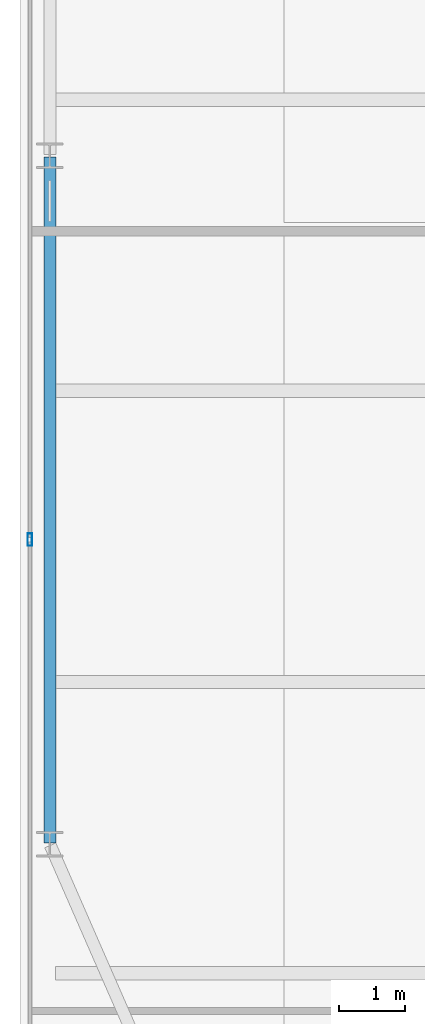
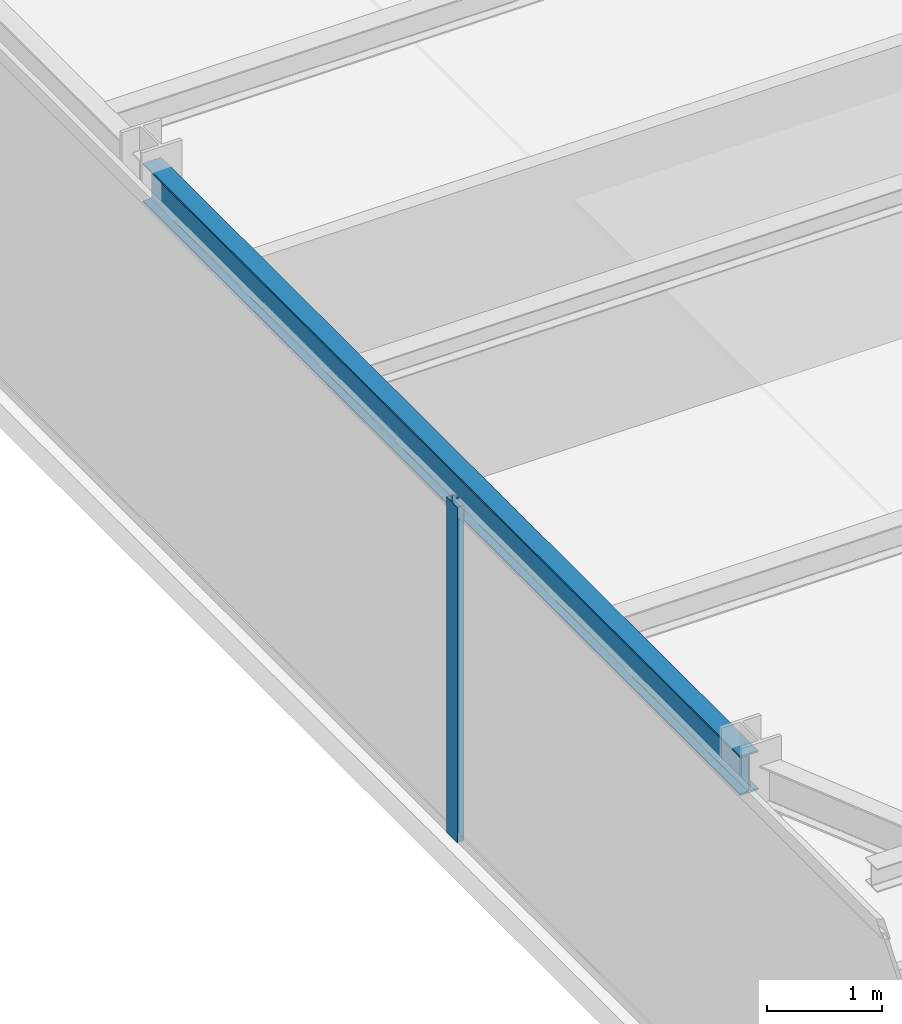
# One storey, part 8 of 34: 1 beam, 1 member, 1 element without a shape of its own.
"""IFC4 building model written with IfcOpenShell, lengths in metres."""

from ifc_helpers import new_model, si_unit, direction, frame, origin, origin_2d, place, context, subcontext, project, spatial, hollow_rectangle, i_section, extrude, source, transform, mapped, material, layer, layer_set, material_profile, profile_set, type_object, type_shapes, element, aggregate, save


model = new_model("IFC4")

# Units and contexts
model_context = context("Model", 3, precision=1e-05, world=origin(), true_north=direction((0.0, 1.0)))
body_context = subcontext(model_context, "Body", "Model", "MODEL_VIEW")
ifc_project = project(units=[si_unit("LENGTHUNIT", "METRE"), si_unit("AREAUNIT", "SQUARE_METRE"), si_unit("VOLUMEUNIT", "CUBIC_METRE"), si_unit("PLANEANGLEUNIT", "RADIAN"), si_unit("MASSUNIT", "GRAM", prefix="KILO")], contexts=[model_context])

# Site, building, storey
site_placement = place(None, origin())
site = spatial("IfcSite", under=ifc_project, at=site_placement, CompositionType="ELEMENT")
building_placement = place(site_placement, origin())
building = spatial("IfcBuilding", under=site, at=building_placement, Name="Varnel Quay Broadcast Tower", CompositionType="ELEMENT")
storey_placement = place(building_placement, frame((0.0, 0.0, 110.60009765625)))
storey = spatial("IfcBuildingStorey", under=building, at=storey_placement, Name="L26", CompositionType="ELEMENT", Elevation=110.60009765625)

# Beam
ifc_material_1 = material(Name="Structural Steel CSA G40.21 350W", Category="steel")
ifc_material_profile_1 = material_profile(ifc_material_1, i_section(OverallWidth=0.180908203125, OverallDepth=0.4169921875, WebThickness=0.010986328125, FlangeThickness=0.018310546875, FilletRadius=0.011962890625, at=origin_2d()), Name="W410X85")
ifc_profile_set_1 = profile_set([ifc_material_profile_1], Name="Structural Steel CSA G40.21 350W")
beam_type = type_object("IfcBeamType", Name="Beam_W410X85", PredefinedType="SPANDREL", material=ifc_profile_set_1)
shared_shape_1 = source(origin(), body_context, "Body", "SweptSolid", [
    extrude(i_section(OverallWidth=0.180908203125, OverallDepth=0.4169921875, WebThickness=0.010986328125, FlangeThickness=0.018310546875, FilletRadius=0.011962890625, at=origin_2d()), origin(), (0.0, 0.0, 1.0), 10.35986328125),
])
type_shapes(beam_type, [shared_shape_1])
beam_placement = place(storey_placement, frame((4.949951171875, 15.02001953125, 3.34130859375), z_axis=(0.0, 1.0, 0.0), x_axis=(-1.0, 0.0, 0.0)))
element("IfcBeam", 1, at=beam_placement, inside=storey, type_object=beam_type, Name="L26 West Spandrel TC-W1-TC-W2", PredefinedType="SPANDREL", context=body_context, shape_type="MappedRepresentation", body=[
    mapped(shared_shape_1, transform((0.0, 0.0, 0.0), x_axis=(1.0, 0.0, 0.0), y_axis=(0.0, 1.0, 0.0), z_axis=(0.0, 0.0, 1.0), scale=1.0)),
])

# Curtain wall, member
ifc_material_2 = material(Name="Anodised Bronze Aluminium 6063-T6", Category="aluminium")
ifc_layer = layer(ifc_material_2, 0.18994140625, Name="Anodised Bronze Aluminium 6063-T6")
ifc_layer_set = layer_set([ifc_layer], Name="Anodised Bronze Aluminium 6063-T6")
curtain_wall_type = type_object("IfcCurtainWallType", Name="CW_LowerTower", PredefinedType="NOTDEFINED", material=ifc_layer_set)
curtain_wall_placement = place(storey_placement, origin())
curtain_wall = element("IfcCurtainWall", 2, at=curtain_wall_placement, inside=storey, type_object=curtain_wall_type, Name="L26 West Unitised Curtain Wall", PredefinedType="NOTDEFINED")
ifc_material_profile_2 = material_profile(ifc_material_2, hollow_rectangle(XDim=0.070068359375, YDim=0.18994140625, WallThickness=0.00390625, at=origin_2d()), Name="ALU70X190X4")
ifc_profile_set_2 = profile_set([ifc_material_profile_2], Name="Anodised Bronze Aluminium 6063-T6")
member_type = type_object("IfcMemberType", Name="Mull_CWS-02", PredefinedType="MULLION", material=ifc_profile_set_2)
shared_shape_2 = source(origin(), body_context, "Body", "SweptSolid", [
    extrude(hollow_rectangle(XDim=0.070068359375, YDim=0.18994140625, WallThickness=0.00390625, at=origin_2d()), origin(), (0.0, 0.0, 1.0), 3.5498046875),
])
type_shapes(member_type, [shared_shape_2])
member_placement = place(storey_placement, frame((4.64990234375, 19.60009765625, 0.0), z_axis=(0.0, 0.0, 1.0), x_axis=(-1.0, 0.0, 0.0)))
member = element("IfcMember", 3, at=member_placement, type_object=member_type, Name="CWS-02 mullion 2", PredefinedType="MULLION", context=body_context, shape_type="MappedRepresentation", body=[
    mapped(shared_shape_2, transform((0.0, 0.0, 0.0), x_axis=(1.0, 0.0, 0.0), y_axis=(0.0, 1.0, 0.0), z_axis=(0.0, 0.0, 1.0), scale=1.0)),
])
aggregate(curtain_wall, [member])

save(model, "model.ifc")
